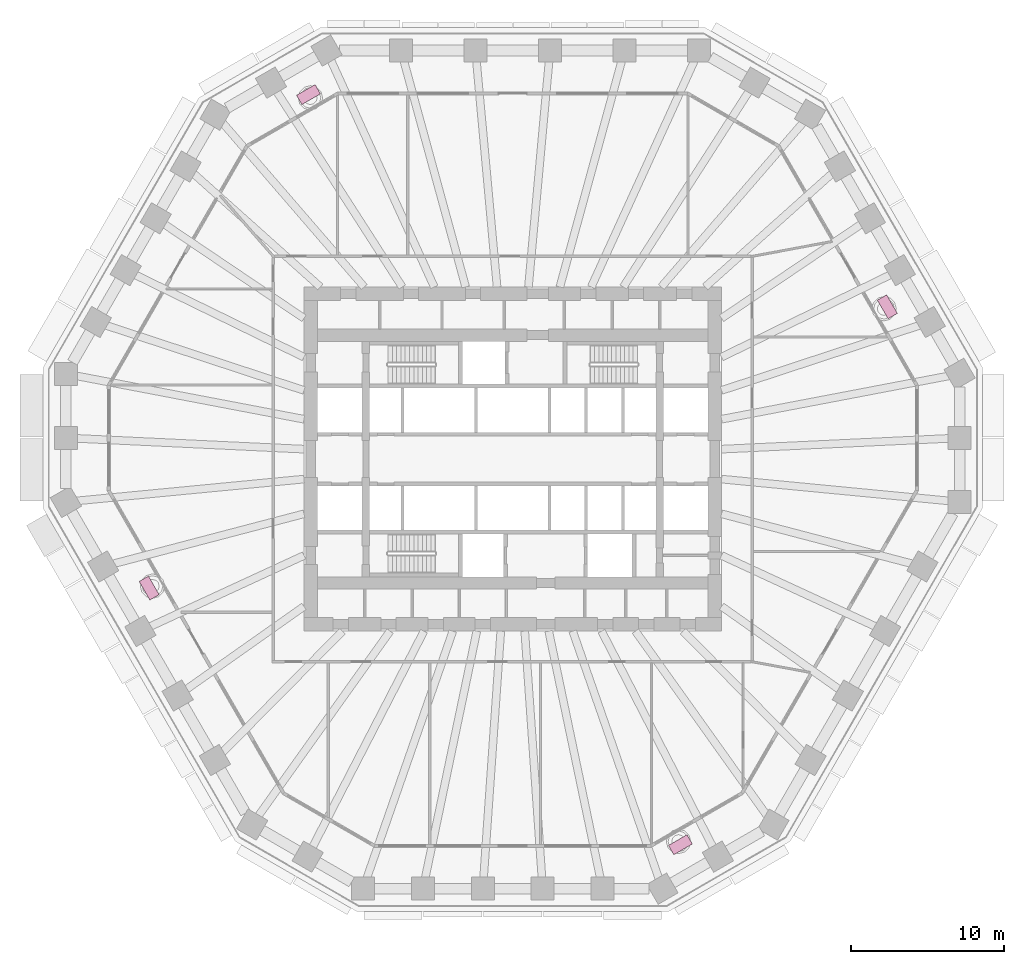
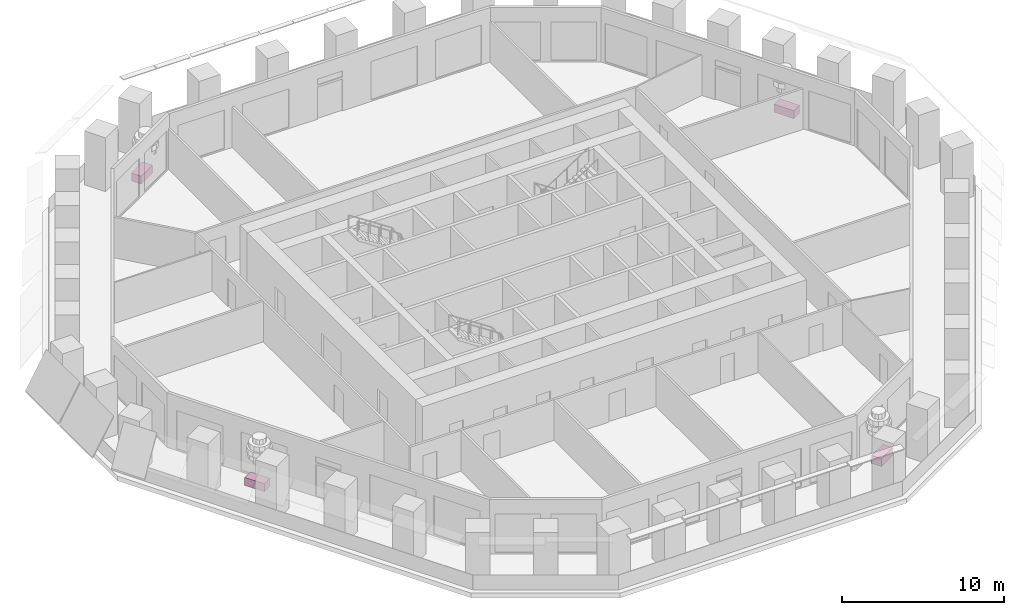
# One storey, part 11 of 12: 4 furniture elements.
"""IFC4 building model written with IfcOpenShell, lengths in metres."""

from ifc_helpers import new_model, si_unit, direction, frame, origin, origin_2d, place, context, subcontext, project, spatial, rectangle, extrude, material, type_object, element, save


model = new_model("IFC4")

# Units and contexts
model_context = context("Model", 3, precision=1e-05, world=origin(), true_north=direction((0.0, 1.0)))
body_context = subcontext(model_context, "Body", "Model", "MODEL_VIEW")
ifc_project = project(units=[si_unit("LENGTHUNIT", "METRE"), si_unit("AREAUNIT", "SQUARE_METRE"), si_unit("VOLUMEUNIT", "CUBIC_METRE"), si_unit("PLANEANGLEUNIT", "RADIAN"), si_unit("MASSUNIT", "GRAM", prefix="KILO")], contexts=[model_context])

# Site, building, storey
site_placement = place(None, origin())
site = spatial("IfcSite", under=ifc_project, at=site_placement, CompositionType="ELEMENT")
building_placement = place(site_placement, origin())
building = spatial("IfcBuilding", under=site, at=building_placement, Name="Frailejon Research Tower", CompositionType="ELEMENT")
storey_placement = place(building_placement, frame((0.0, 0.0, 63.0)))
storey = spatial("IfcBuildingStorey", under=building, at=storey_placement, Name="L14", CompositionType="ELEMENT", Elevation=63.0)

# Furniture
ifc_material = material(Name="Precast concrete C30/37 planter, terracotta", Category="masonry")
furniture_type = type_object("IfcFurnitureType", Name="Loggia planter 1400x700", AssemblyPlace="NOTDEFINED", PredefinedType="USERDEFINED", material=ifc_material)
for number, where, z_axis, x_axis, name in (
    (1, (24.486572265625, 9.95361328125, 0.0), (0.0, 0.0, 1.0), (-0.5, 0.866025403784, 0.0), "Planter L14"),
    (2, (-13.35302734375, 23.826904296875, 0.0), (0.0, 0.0, 1.0), (-0.866025403784, -0.5, 0.0), "Planter L14"),
    (3, (-23.76806640625, -8.4326171875, 0.0), (0.0, 0.0, 1.0), (0.5, -0.866025403784, 0.0), "Planter L14"),
    (4, (10.9580078125, -25.209716796875, 0.0), (0.0, 0.0, 1.0), (0.866025403784, 0.5, 0.0), "Planter L14"),
):
    element("IfcFurniture", number, at=place(storey_placement, frame(where, z_axis=z_axis, x_axis=x_axis)), inside=storey, type_object=furniture_type, Name=name, ObjectType="PLANTER", PredefinedType="USERDEFINED", context=body_context, shape_type="SweptSolid", body=[
        extrude(rectangle(XDim=1.39990234375, YDim=0.699951171875, at=origin_2d()), origin(), (0.0, 0.0, 1.0), 0.60009765625),
    ])

save(model, "model.ifc")
